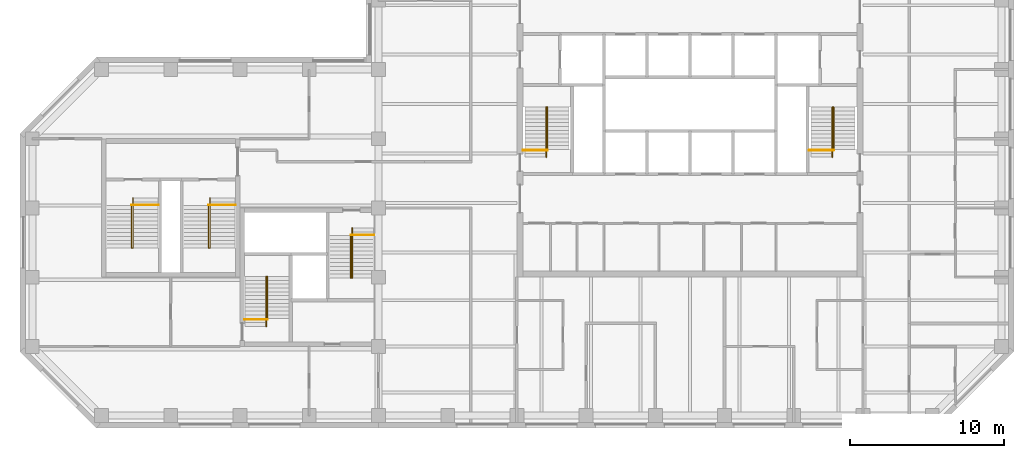
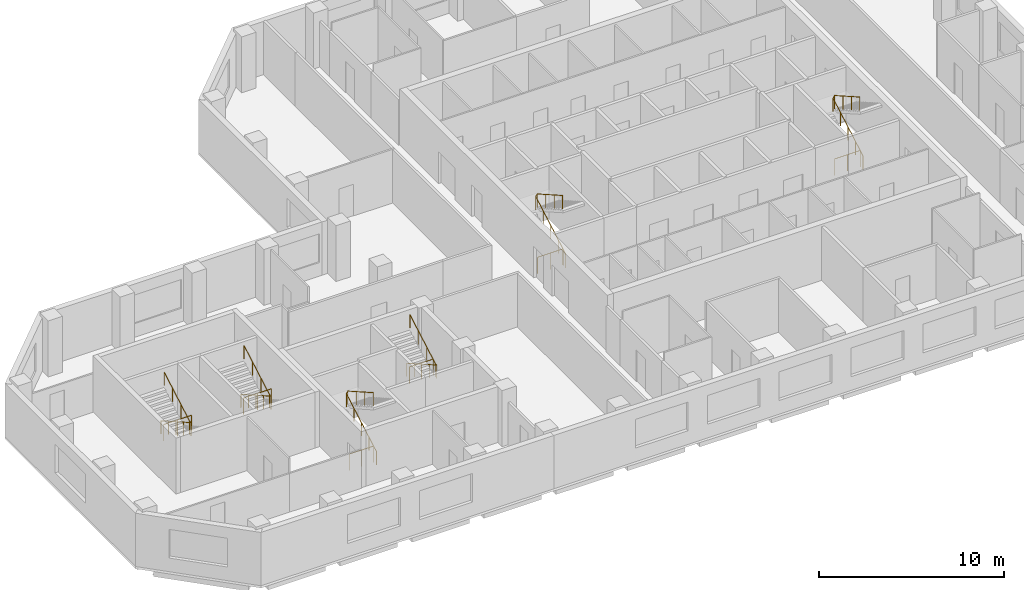
# One storey, part 9 of 9: 12 railings.
"""IFC4 building model written with IfcOpenShell, lengths in metres."""

import ifcopenshell
import ifcopenshell.guid

model = None  # the IFC model being written
_history = None  # IfcOwnerHistory: only IFC2X3 demands one
_inside = {}  # id of a spatial element -> (the spatial element, [elements in it])
_under = {}  # id of a project, library or spatial element -> (it, [spatial elements below it])
_declared = {}  # id of a project -> (the project, [libraries it declares])
_typed = {}  # id of a type object -> (the type object, [elements of that type])
_made_of = {}  # id of a material, layer set ... -> (it, [elements and type objects made of it])


def new_model(schema):
    """Start an empty IFC model of exactly this schema.

    Asked for "IFC4X3", IfcOpenShell would pick the latest addendum, in which some entities
    have other attributes; the version numbers below select the first issue.
    IFC2X3 requires an IfcOwnerHistory on every rooted entity: one is made here for all.
    """
    global model, _history
    if schema == "IFC4X3":
        model = ifcopenshell.file(schema_version=(4, 3, 0, 0))
    else:
        model = ifcopenshell.file(schema=schema)
    _inside.clear()
    _under.clear()
    _declared.clear()
    _typed.clear()
    _made_of.clear()
    _history = None
    if model.schema == "IFC2X3":
        org = make("IfcOrganization", Name="unknown")
        user = make(
            "IfcPersonAndOrganization",
            ThePerson=make("IfcPerson", FamilyName="unknown"),
            TheOrganization=org,
        )
        app = make(
            "IfcApplication",
            ApplicationDeveloper=org,
            Version="unknown",
            ApplicationFullName="unknown",
            ApplicationIdentifier="unknown",
        )
        _history = make(
            "IfcOwnerHistory",
            OwningUser=user,
            OwningApplication=app,
            ChangeAction="ADDED",
            CreationDate=0,
        )
    return model


def make(cls, **values):
    """One entity of the class cls with the attributes given. An attribute that is None is left unset."""
    return model.create_entity(
        cls, **{name: value for name, value in values.items() if value is not None}
    )


def rooted(cls, **values):
    """An entity with a GlobalId (a new one), such as an element, a storey or a relation."""
    return make(cls, GlobalId=ifcopenshell.guid.new(), OwnerHistory=_history, **values)


def si_unit(unit_type, name, prefix=None):
    """IfcSIUnit, for example si_unit("LENGTHUNIT", "METRE", prefix="MILLI")."""
    return make("IfcSIUnit", UnitType=unit_type, Prefix=prefix, Name=name)


def assignment(units):
    """IfcUnitAssignment: the units of a project."""
    return None if units is None else make("IfcUnitAssignment", Units=units)


def point(xyz):
    """IfcCartesianPoint."""
    return None if xyz is None else make("IfcCartesianPoint", Coordinates=xyz)


def direction(xyz):
    """IfcDirection."""
    return None if xyz is None else make("IfcDirection", DirectionRatios=xyz)


def frame(location, z_axis=None, x_axis=None):
    """IfcAxis2Placement3D, a coordinate frame: its origin and axes. An axis left out is left unset."""
    return make(
        "IfcAxis2Placement3D",
        Location=point(location),
        Axis=direction(z_axis),
        RefDirection=direction(x_axis),
    )


def frame_2d(location, x_axis=None):
    """IfcAxis2Placement2D, a coordinate frame in the plane: its origin and x axis."""
    return make(
        "IfcAxis2Placement2D", Location=point(location), RefDirection=direction(x_axis)
    )


def origin():
    """The frame at (0, 0, 0) with its axes left unset."""
    return frame((0.0, 0.0, 0.0))


def origin_2d():
    """The frame at (0, 0) in the plane with its x axis left unset."""
    return frame_2d((0.0, 0.0))


def place(relative_to, where):
    """IfcLocalPlacement: puts the frame where relative to a parent placement (None: the world)."""
    return make(
        "IfcLocalPlacement", PlacementRelTo=relative_to, RelativePlacement=where
    )


def context(
    kind, dimensions, precision=None, world=None, true_north=None, identifier=None
):
    """IfcGeometricRepresentationContext, for example the 3D "Model" context."""
    return make(
        "IfcGeometricRepresentationContext",
        ContextIdentifier=identifier,
        ContextType=kind,
        CoordinateSpaceDimension=dimensions,
        Precision=precision,
        WorldCoordinateSystem=world,
        TrueNorth=true_north,
    )


def subcontext(parent, identifier, kind, view, scale=None):
    """IfcGeometricRepresentationSubContext, for example "Body" below "Model"."""
    return make(
        "IfcGeometricRepresentationSubContext",
        ContextIdentifier=identifier,
        ContextType=kind,
        ParentContext=parent,
        TargetScale=scale,
        TargetView=view,
    )


def project(units=None, contexts=None):
    """IfcProject with its units and contexts."""
    return rooted(
        "IfcProject",
        Name="project",
        RepresentationContexts=contexts,
        UnitsInContext=assignment(units),
    )


def spatial(cls, under=None, at=None, **own):
    """A site, building, storey or space (cls), placed at a placement, below another one or the project."""
    s = rooted(cls, ObjectPlacement=at, **own)
    if under is not None:
        _under.setdefault(under.id(), (under, []))[1].append(s)
    return s


def profile(cls, at=None, kind="AREA", **sizes):
    """A parametric profile (cls). Its sizes go by their IFC names, for example OverallWidth=200.0."""
    return make(cls, ProfileType=kind, Position=at, **sizes)


def circle(**sizes):
    """IfcCircleProfileDef."""
    return profile("IfcCircleProfileDef", **sizes)


def extrude(swept, where, along, depth):
    """IfcExtrudedAreaSolid: the profile swept, set in the frame where, extruded along a direction by depth."""
    return make(
        "IfcExtrudedAreaSolid",
        SweptArea=swept,
        Position=where,
        ExtrudedDirection=direction(along),
        Depth=depth,
    )


def shape(context_of_items, identifier, shape_type, items):
    """IfcShapeRepresentation: the items that make up one representation, for example the "Body"."""
    return make(
        "IfcShapeRepresentation",
        ContextOfItems=context_of_items,
        RepresentationIdentifier=identifier,
        RepresentationType=shape_type,
        Items=items,
    )


def material(Name=None, Category=None):
    """IfcMaterial."""
    return make("IfcMaterial", Name=Name, Category=Category)


def made_of(thing, what):
    """Note that an element or type object is made of a material, layer set ...; save() writes the relation."""
    if what is not None:
        _made_of.setdefault(what.id(), (what, []))[1].append(thing)
    return thing


def type_object(cls, material=None, **own):
    """A type object (cls), such as IfcWallType, which elements share."""
    return made_of(rooted(cls, **own), material)


def element(
    cls,
    number,
    at=None,
    inside=None,
    cuts=None,
    type_object=None,
    material=None,
    context=None,
    identifier="Body",
    shape_type=None,
    held_by="IfcProductDefinitionShape",
    body=None,
    shapes=None,
    **own,
):
    """One element of the class cls, such as IfcWall. Its Tag is "e" and its number.

    at: its placement. inside: the storey or other place that contains it. cuts: it is an
    opening in that element (IfcRelVoidsElement). A single representation is given by context,
    identifier, shape_type and body (its items); several are given by shapes. held_by: the class
    of the entity that holds the representations. save() writes the other relations.
    """
    e = rooted(cls, Tag="e%d" % number, ObjectPlacement=at, **own)
    if body is not None:
        shapes = [shape(context, identifier, shape_type, body)]
    if shapes is not None:
        e.Representation = make(held_by, Representations=shapes)
    if inside is not None:
        _inside.setdefault(inside.id(), (inside, []))[1].append(e)
    if cuts is not None:
        rooted(
            "IfcRelVoidsElement", RelatingBuildingElement=cuts, RelatedOpeningElement=e
        )
    if type_object is not None:
        _typed.setdefault(type_object.id(), (type_object, []))[1].append(e)
    return made_of(e, material)


def aggregate(whole, parts):
    """IfcRelAggregates: a whole, such as a stair, and the parts it consists of."""
    return rooted("IfcRelAggregates", RelatingObject=whole, RelatedObjects=parts)


def save(model, path):
    """Write the relations noted so far, then the file.

    IfcRelAggregates (storeys below a building ...), IfcRelContainedInSpatialStructure (elements
    in a storey), IfcRelDefinesByType, IfcRelAssociatesMaterial and IfcRelDeclares: one each for
    every whole, place, type object, material and project.
    """
    for whole, parts in _under.values():
        aggregate(whole, parts)
    for where, things in _inside.values():
        rooted(
            "IfcRelContainedInSpatialStructure",
            RelatedElements=things,
            RelatingStructure=where,
        )
    for kind, things in _typed.values():
        rooted("IfcRelDefinesByType", RelatedObjects=things, RelatingType=kind)
    for what, things in _made_of.values():
        rooted("IfcRelAssociatesMaterial", RelatedObjects=things, RelatingMaterial=what)
    for by, libraries in _declared.values():
        rooted("IfcRelDeclares", RelatingContext=by, RelatedDefinitions=libraries)
    model.write(path)


model = new_model("IFC4")

# Units and contexts
model_context = context("Model", 3, precision=1e-05, world=origin(), true_north=direction((0.0, 1.0)))
body_context = subcontext(model_context, "Body", "Model", "MODEL_VIEW")
ifc_project = project(units=[si_unit("LENGTHUNIT", "METRE"), si_unit("AREAUNIT", "SQUARE_METRE"), si_unit("VOLUMEUNIT", "CUBIC_METRE"), si_unit("PLANEANGLEUNIT", "RADIAN"), si_unit("MASSUNIT", "GRAM", prefix="KILO")], contexts=[model_context])

# Site, building, storey
site_placement = place(None, origin())
site = spatial("IfcSite", under=ifc_project, at=site_placement, CompositionType="ELEMENT")
building_placement = place(site_placement, origin())
building = spatial("IfcBuilding", under=site, at=building_placement, Name="Quoin Convention Tower", CompositionType="ELEMENT")
storey_placement = place(building_placement, frame((0.0, 0.0, 166.199951171875)))
storey = spatial("IfcBuildingStorey", under=building, at=storey_placement, Name="L43", CompositionType="ELEMENT", Elevation=166.199951171875)

# Railings
ifc_material = material(Name="Stainless steel", Category="steel")
railing_type_1 = type_object("IfcRailingType", Name="Stair handrail 900", PredefinedType="HANDRAIL", material=ifc_material)
railing_1_placement = place(storey_placement, frame((46.905029296875, 57.300048828125, 0.142333984375)))
element("IfcRailing", 1, at=railing_1_placement, inside=storey, type_object=railing_type_1, Name="SD1 handrail 1", PredefinedType="HANDRAIL", context=body_context, shape_type="SweptSolid", body=[
    extrude(circle(Radius=0.02392578125, at=origin_2d()), frame((0.0, 0.0, 0.8759765625), z_axis=(0.0, 0.869053504361, 0.494718108177), x_axis=(-1.0, 0.0, 0.0)), (0.0, 0.0, 1.0), 3.73974609375),
    extrude(circle(Radius=0.02392578125, at=origin_2d()), frame((0.0, 3.25, 2.72607421875), z_axis=(0.53481069233, 0.0, 0.844971906852), x_axis=(0.0, 1.0, 0.0)), (0.0, 0.0, 1.0), 0.16845703125),
    extrude(circle(Radius=0.02392578125, at=origin_2d()), frame((0.090087890625, 3.25, 2.8681640625), z_axis=(0.0, -0.869091777644, 0.494650868828), x_axis=(1.0, 0.0, 0.0)), (0.0, 0.0, 1.0), 3.164306640625),
    extrude(circle(Radius=0.02099609375, at=origin_2d()), origin(), (0.0, 0.0, 1.0), 0.851806640625),
    extrude(circle(Radius=0.02099609375, at=origin_2d()), frame((0.0, 0.8125, 0.46240234375)), (0.0, 0.0, 1.0), 0.851806640625),
    extrude(circle(Radius=0.02099609375, at=origin_2d()), frame((0.0, 1.625, 0.925048828125)), (0.0, 0.0, 1.0), 0.851806640625),
    extrude(circle(Radius=0.02099609375, at=origin_2d()), frame((0.0, 2.4375, 1.3876953125)), (0.0, 0.0, 1.0), 0.851806640625),
    extrude(circle(Radius=0.02099609375, at=origin_2d()), frame((0.0, 3.25, 1.85009765625)), (0.0, 0.0, 1.0), 0.851806640625),
    extrude(circle(Radius=0.02099609375, at=origin_2d()), frame((0.090087890625, 3.25, 1.992431640625)), (0.0, 0.0, 1.0), 0.851806640625),
    extrude(circle(Radius=0.02099609375, at=origin_2d()), frame((0.090087890625, 2.333251953125, 2.51416015625)), (0.0, 0.0, 1.0), 0.851806640625),
    extrude(circle(Radius=0.02099609375, at=origin_2d()), frame((0.090087890625, 1.416748046875, 3.035888671875)), (0.0, 0.0, 1.0), 0.851806640625),
    extrude(circle(Radius=0.02099609375, at=origin_2d()), frame((0.090087890625, 0.5, 3.5576171875)), (0.0, 0.0, 1.0), 0.851806640625),
])
railing_2_placement = place(storey_placement, frame((65.5048828125, 57.300048828125, 0.142333984375)))
element("IfcRailing", 2, at=railing_2_placement, inside=storey, type_object=railing_type_1, Name="SD2 handrail 1", PredefinedType="HANDRAIL", context=body_context, shape_type="SweptSolid", body=[
    extrude(circle(Radius=0.02392578125, at=origin_2d()), frame((0.0, 0.0, 0.8759765625), z_axis=(0.0, 0.869053504361, 0.494718108177), x_axis=(-1.0, 0.0, 0.0)), (0.0, 0.0, 1.0), 3.73974609375),
    extrude(circle(Radius=0.02392578125, at=origin_2d()), frame((0.0, 3.25, 2.72607421875), z_axis=(0.53481069233, 0.0, 0.844971906852), x_axis=(0.0, 1.0, 0.0)), (0.0, 0.0, 1.0), 0.16845703125),
    extrude(circle(Radius=0.02392578125, at=origin_2d()), frame((0.090087890625, 3.25, 2.8681640625), z_axis=(0.0, -0.869091777644, 0.494650868828), x_axis=(1.0, 0.0, 0.0)), (0.0, 0.0, 1.0), 3.164306640625),
    extrude(circle(Radius=0.02099609375, at=origin_2d()), origin(), (0.0, 0.0, 1.0), 0.851806640625),
    extrude(circle(Radius=0.02099609375, at=origin_2d()), frame((0.0, 0.8125, 0.46240234375)), (0.0, 0.0, 1.0), 0.851806640625),
    extrude(circle(Radius=0.02099609375, at=origin_2d()), frame((0.0, 1.625, 0.925048828125)), (0.0, 0.0, 1.0), 0.851806640625),
    extrude(circle(Radius=0.02099609375, at=origin_2d()), frame((0.0, 2.4375, 1.3876953125)), (0.0, 0.0, 1.0), 0.851806640625),
    extrude(circle(Radius=0.02099609375, at=origin_2d()), frame((0.0, 3.25, 1.85009765625)), (0.0, 0.0, 1.0), 0.851806640625),
    extrude(circle(Radius=0.02099609375, at=origin_2d()), frame((0.090087890625, 3.25, 1.992431640625)), (0.0, 0.0, 1.0), 0.851806640625),
    extrude(circle(Radius=0.02099609375, at=origin_2d()), frame((0.090087890625, 2.333251953125, 2.51416015625)), (0.0, 0.0, 1.0), 0.851806640625),
    extrude(circle(Radius=0.02099609375, at=origin_2d()), frame((0.090087890625, 1.416748046875, 3.035888671875)), (0.0, 0.0, 1.0), 0.851806640625),
    extrude(circle(Radius=0.02099609375, at=origin_2d()), frame((0.090087890625, 0.5, 3.5576171875)), (0.0, 0.0, 1.0), 0.851806640625),
])
railing_3_placement = place(storey_placement, frame((28.705078125, 46.300048828125, 0.142333984375)))
element("IfcRailing", 3, at=railing_3_placement, inside=storey, type_object=railing_type_1, Name="SD3 handrail 1", PredefinedType="HANDRAIL", context=body_context, shape_type="SweptSolid", body=[
    extrude(circle(Radius=0.02392578125, at=origin_2d()), frame((0.0, 0.0, 0.8759765625), z_axis=(0.0, 0.869053504361, 0.494718108177), x_axis=(-1.0, 0.0, 0.0)), (0.0, 0.0, 1.0), 3.73974609375),
    extrude(circle(Radius=0.02392578125, at=origin_2d()), frame((0.0, 3.25, 2.72607421875), z_axis=(0.533774684331, 0.0, 0.845626741753), x_axis=(0.0, 1.0, 0.0)), (0.0, 0.0, 1.0), 0.168212890625),
    extrude(circle(Radius=0.02392578125, at=origin_2d()), frame((0.08984375, 3.25, 2.8681640625), z_axis=(0.0, -0.869091777644, 0.494650868828), x_axis=(1.0, 0.0, 0.0)), (0.0, 0.0, 1.0), 3.164306640625),
    extrude(circle(Radius=0.02099609375, at=origin_2d()), origin(), (0.0, 0.0, 1.0), 0.851806640625),
    extrude(circle(Radius=0.02099609375, at=origin_2d()), frame((0.0, 0.8125, 0.46240234375)), (0.0, 0.0, 1.0), 0.851806640625),
    extrude(circle(Radius=0.02099609375, at=origin_2d()), frame((0.0, 1.625, 0.925048828125)), (0.0, 0.0, 1.0), 0.851806640625),
    extrude(circle(Radius=0.02099609375, at=origin_2d()), frame((0.0, 2.4375, 1.3876953125)), (0.0, 0.0, 1.0), 0.851806640625),
    extrude(circle(Radius=0.02099609375, at=origin_2d()), frame((0.0, 3.25, 1.85009765625)), (0.0, 0.0, 1.0), 0.851806640625),
    extrude(circle(Radius=0.02099609375, at=origin_2d()), frame((0.08984375, 3.25, 1.992431640625)), (0.0, 0.0, 1.0), 0.851806640625),
    extrude(circle(Radius=0.02099609375, at=origin_2d()), frame((0.08984375, 2.333251953125, 2.51416015625)), (0.0, 0.0, 1.0), 0.851806640625),
    extrude(circle(Radius=0.02099609375, at=origin_2d()), frame((0.08984375, 1.416748046875, 3.035888671875)), (0.0, 0.0, 1.0), 0.851806640625),
    extrude(circle(Radius=0.02099609375, at=origin_2d()), frame((0.08984375, 0.5, 3.5576171875)), (0.0, 0.0, 1.0), 0.851806640625),
])
railing_4_placement = place(storey_placement, frame((34.294921875, 52.699951171875, 0.142333984375)))
element("IfcRailing", 4, at=railing_4_placement, inside=storey, type_object=railing_type_1, Name="SD4 handrail 1", PredefinedType="HANDRAIL", context=body_context, shape_type="SweptSolid", body=[
    extrude(circle(Radius=0.02392578125, at=origin_2d()), frame((0.0, 0.0, 0.8759765625), z_axis=(0.0, -0.869053504361, 0.494718108177), x_axis=(1.0, 0.0, 0.0)), (0.0, 0.0, 1.0), 3.73974609375),
    extrude(circle(Radius=0.02392578125, at=origin_2d()), frame((0.0, -3.25, 2.72607421875), z_axis=(-0.533774684331, 0.0, 0.845626741753), x_axis=(0.0, -1.0, 0.0)), (0.0, 0.0, 1.0), 0.168212890625),
    extrude(circle(Radius=0.02392578125, at=origin_2d()), frame((-0.08984375, -3.25, 2.8681640625), z_axis=(0.0, 0.869091777644, 0.494650868828), x_axis=(-1.0, 0.0, 0.0)), (0.0, 0.0, 1.0), 3.164306640625),
    extrude(circle(Radius=0.02099609375, at=origin_2d()), origin(), (0.0, 0.0, 1.0), 0.851806640625),
    extrude(circle(Radius=0.02099609375, at=origin_2d()), frame((0.0, -0.8125, 0.46240234375)), (0.0, 0.0, 1.0), 0.851806640625),
    extrude(circle(Radius=0.02099609375, at=origin_2d()), frame((0.0, -1.625, 0.925048828125)), (0.0, 0.0, 1.0), 0.851806640625),
    extrude(circle(Radius=0.02099609375, at=origin_2d()), frame((0.0, -2.4375, 1.3876953125)), (0.0, 0.0, 1.0), 0.851806640625),
    extrude(circle(Radius=0.02099609375, at=origin_2d()), frame((0.0, -3.25, 1.85009765625)), (0.0, 0.0, 1.0), 0.851806640625),
    extrude(circle(Radius=0.02099609375, at=origin_2d()), frame((-0.08984375, -3.25, 1.992431640625)), (0.0, 0.0, 1.0), 0.851806640625),
    extrude(circle(Radius=0.02099609375, at=origin_2d()), frame((-0.08984375, -2.333251953125, 2.51416015625)), (0.0, 0.0, 1.0), 0.851806640625),
    extrude(circle(Radius=0.02099609375, at=origin_2d()), frame((-0.08984375, -1.416748046875, 3.035888671875)), (0.0, 0.0, 1.0), 0.851806640625),
    extrude(circle(Radius=0.02099609375, at=origin_2d()), frame((-0.08984375, -0.5, 3.5576171875)), (0.0, 0.0, 1.0), 0.851806640625),
])
railing_5_placement = place(storey_placement, frame((20.044921875, 54.64990234375, 0.142333984375)))
element("IfcRailing", 5, at=railing_5_placement, inside=storey, type_object=railing_type_1, Name="SD11 handrail 1", PredefinedType="HANDRAIL", context=body_context, shape_type="SweptSolid", body=[
    extrude(circle(Radius=0.02392578125, at=origin_2d()), frame((0.0, 0.0, 0.8759765625), z_axis=(0.0, -0.869053504361, 0.494718108177), x_axis=(1.0, 0.0, 0.0)), (0.0, 0.0, 1.0), 3.73974609375),
    extrude(circle(Radius=0.02392578125, at=origin_2d()), frame((0.0, -3.25, 2.72607421875), z_axis=(-0.533774684331, 0.0, 0.845626741753), x_axis=(0.0, -1.0, 0.0)), (0.0, 0.0, 1.0), 0.168212890625),
    extrude(circle(Radius=0.02392578125, at=origin_2d()), frame((-0.08984375, -3.25, 2.8681640625), z_axis=(0.0, 0.869091777644, 0.494650868828), x_axis=(-1.0, 0.0, 0.0)), (0.0, 0.0, 1.0), 3.164306640625),
    extrude(circle(Radius=0.02099609375, at=origin_2d()), origin(), (0.0, 0.0, 1.0), 0.851806640625),
    extrude(circle(Radius=0.02099609375, at=origin_2d()), frame((0.0, -0.8125, 0.46240234375)), (0.0, 0.0, 1.0), 0.851806640625),
    extrude(circle(Radius=0.02099609375, at=origin_2d()), frame((0.0, -1.625, 0.925048828125)), (0.0, 0.0, 1.0), 0.851806640625),
    extrude(circle(Radius=0.02099609375, at=origin_2d()), frame((0.0, -2.4375, 1.3876953125)), (0.0, 0.0, 1.0), 0.851806640625),
    extrude(circle(Radius=0.02099609375, at=origin_2d()), frame((0.0, -3.25, 1.85009765625)), (0.0, 0.0, 1.0), 0.851806640625),
    extrude(circle(Radius=0.02099609375, at=origin_2d()), frame((-0.08984375, -3.25, 1.992431640625)), (0.0, 0.0, 1.0), 0.851806640625),
    extrude(circle(Radius=0.02099609375, at=origin_2d()), frame((-0.08984375, -2.333251953125, 2.51416015625)), (0.0, 0.0, 1.0), 0.851806640625),
    extrude(circle(Radius=0.02099609375, at=origin_2d()), frame((-0.08984375, -1.416748046875, 3.035888671875)), (0.0, 0.0, 1.0), 0.851806640625),
    extrude(circle(Radius=0.02099609375, at=origin_2d()), frame((-0.08984375, -0.5, 3.5576171875)), (0.0, 0.0, 1.0), 0.851806640625),
])
railing_6_placement = place(storey_placement, frame((25.044921875, 54.64990234375, 0.142333984375)))
element("IfcRailing", 6, at=railing_6_placement, inside=storey, type_object=railing_type_1, Name="SD12 handrail 1", PredefinedType="HANDRAIL", context=body_context, shape_type="SweptSolid", body=[
    extrude(circle(Radius=0.02392578125, at=origin_2d()), frame((0.0, 0.0, 0.8759765625), z_axis=(0.0, -0.869053504361, 0.494718108177), x_axis=(1.0, 0.0, 0.0)), (0.0, 0.0, 1.0), 3.73974609375),
    extrude(circle(Radius=0.02392578125, at=origin_2d()), frame((0.0, -3.25, 2.72607421875), z_axis=(-0.533774684331, 0.0, 0.845626741753), x_axis=(0.0, -1.0, 0.0)), (0.0, 0.0, 1.0), 0.168212890625),
    extrude(circle(Radius=0.02392578125, at=origin_2d()), frame((-0.08984375, -3.25, 2.8681640625), z_axis=(0.0, 0.869091777644, 0.494650868828), x_axis=(-1.0, 0.0, 0.0)), (0.0, 0.0, 1.0), 3.164306640625),
    extrude(circle(Radius=0.02099609375, at=origin_2d()), origin(), (0.0, 0.0, 1.0), 0.851806640625),
    extrude(circle(Radius=0.02099609375, at=origin_2d()), frame((0.0, -0.8125, 0.46240234375)), (0.0, 0.0, 1.0), 0.851806640625),
    extrude(circle(Radius=0.02099609375, at=origin_2d()), frame((0.0, -1.625, 0.925048828125)), (0.0, 0.0, 1.0), 0.851806640625),
    extrude(circle(Radius=0.02099609375, at=origin_2d()), frame((0.0, -2.4375, 1.3876953125)), (0.0, 0.0, 1.0), 0.851806640625),
    extrude(circle(Radius=0.02099609375, at=origin_2d()), frame((0.0, -3.25, 1.85009765625)), (0.0, 0.0, 1.0), 0.851806640625),
    extrude(circle(Radius=0.02099609375, at=origin_2d()), frame((-0.08984375, -3.25, 1.992431640625)), (0.0, 0.0, 1.0), 0.851806640625),
    extrude(circle(Radius=0.02099609375, at=origin_2d()), frame((-0.08984375, -2.333251953125, 2.51416015625)), (0.0, 0.0, 1.0), 0.851806640625),
    extrude(circle(Radius=0.02099609375, at=origin_2d()), frame((-0.08984375, -1.416748046875, 3.035888671875)), (0.0, 0.0, 1.0), 0.851806640625),
    extrude(circle(Radius=0.02099609375, at=origin_2d()), frame((-0.08984375, -0.5, 3.5576171875)), (0.0, 0.0, 1.0), 0.851806640625),
])
railing_type_2 = type_object("IfcRailingType", Name="Stair top guard 1100", PredefinedType="GUARDRAIL", material=ifc_material)
railing_7_placement = place(storey_placement, frame((45.39990234375, 57.75, 0.0)))
element("IfcRailing", 7, at=railing_7_placement, inside=storey, type_object=railing_type_2, Name="SD1 top guard", PredefinedType="GUARDRAIL", context=body_context, shape_type="SweptSolid", body=[
    extrude(circle(Radius=0.02392578125, at=origin_2d()), frame((0.0, 0.0, 1.076171875), z_axis=(1.0, 0.0, 0.0), x_axis=(0.0, 1.0, 0.0)), (0.0, 0.0, 1.0), 1.59521484375),
    extrude(circle(Radius=0.02099609375, at=origin_2d()), origin(), (0.0, 0.0, 1.0), 1.052001953125),
    extrude(circle(Radius=0.02099609375, at=origin_2d()), frame((0.797607421875, 0.0, 0.0)), (0.0, 0.0, 1.0), 1.052001953125),
    extrude(circle(Radius=0.02099609375, at=origin_2d()), frame((1.59521484375, 0.0, 0.0)), (0.0, 0.0, 1.0), 1.052001953125),
])
railing_8_placement = place(storey_placement, frame((64.0, 57.75, 0.0)))
element("IfcRailing", 8, at=railing_8_placement, inside=storey, type_object=railing_type_2, Name="SD2 top guard", PredefinedType="GUARDRAIL", context=body_context, shape_type="SweptSolid", body=[
    extrude(circle(Radius=0.02392578125, at=origin_2d()), frame((0.0, 0.0, 1.076171875), z_axis=(1.0, 0.0, 0.0), x_axis=(0.0, 1.0, 0.0)), (0.0, 0.0, 1.0), 1.594970703125),
    extrude(circle(Radius=0.02099609375, at=origin_2d()), origin(), (0.0, 0.0, 1.0), 1.052001953125),
    extrude(circle(Radius=0.02099609375, at=origin_2d()), frame((0.79736328125, 0.0, 0.0)), (0.0, 0.0, 1.0), 1.052001953125),
    extrude(circle(Radius=0.02099609375, at=origin_2d()), frame((1.594970703125, 0.0, 0.0)), (0.0, 0.0, 1.0), 1.052001953125),
])
railing_9_placement = place(storey_placement, frame((27.300048828125, 46.75, 0.0)))
element("IfcRailing", 9, at=railing_9_placement, inside=storey, type_object=railing_type_2, Name="SD3 top guard", PredefinedType="GUARDRAIL", context=body_context, shape_type="SweptSolid", body=[
    extrude(circle(Radius=0.02392578125, at=origin_2d()), frame((0.0, 0.0, 1.076171875), z_axis=(1.0, 0.0, 0.0), x_axis=(0.0, 1.0, 0.0)), (0.0, 0.0, 1.0), 1.494873046875),
    extrude(circle(Radius=0.02099609375, at=origin_2d()), origin(), (0.0, 0.0, 1.0), 1.052001953125),
    extrude(circle(Radius=0.02099609375, at=origin_2d()), frame((0.74755859375, 0.0, 0.0)), (0.0, 0.0, 1.0), 1.052001953125),
    extrude(circle(Radius=0.02099609375, at=origin_2d()), frame((1.494873046875, 0.0, 0.0)), (0.0, 0.0, 1.0), 1.052001953125),
])
railing_10_placement = place(storey_placement, frame((35.699951171875, 52.25, 0.0)))
element("IfcRailing", 10, at=railing_10_placement, inside=storey, type_object=railing_type_2, Name="SD4 top guard", PredefinedType="GUARDRAIL", context=body_context, shape_type="SweptSolid", body=[
    extrude(circle(Radius=0.02392578125, at=origin_2d()), frame((0.0, 0.0, 1.076171875), z_axis=(-1.0, 0.0, 0.0), x_axis=(0.0, -1.0, 0.0)), (0.0, 0.0, 1.0), 1.494873046875),
    extrude(circle(Radius=0.02099609375, at=origin_2d()), origin(), (0.0, 0.0, 1.0), 1.052001953125),
    extrude(circle(Radius=0.02099609375, at=origin_2d()), frame((-0.74755859375, 0.0, 0.0)), (0.0, 0.0, 1.0), 1.052001953125),
    extrude(circle(Radius=0.02099609375, at=origin_2d()), frame((-1.494873046875, 0.0, 0.0)), (0.0, 0.0, 1.0), 1.052001953125),
])
for number, where, name in (
    (11, (21.699951171875, 54.199951171875, 0.0), "SD11 top guard"),
    (12, (26.699951171875, 54.199951171875, 0.0), "SD12 top guard"),
):
    element("IfcRailing", number, at=place(storey_placement, frame(where)), inside=storey, type_object=railing_type_2, Name=name, PredefinedType="GUARDRAIL", context=body_context, shape_type="SweptSolid", body=[
        extrude(circle(Radius=0.02392578125, at=origin_2d()), frame((0.0, 0.0, 1.076171875), z_axis=(-1.0, 0.0, 0.0), x_axis=(0.0, -1.0, 0.0)), (0.0, 0.0, 1.0), 1.744873046875),
        extrude(circle(Radius=0.02099609375, at=origin_2d()), origin(), (0.0, 0.0, 1.0), 1.052001953125),
        extrude(circle(Radius=0.02099609375, at=origin_2d()), frame((-0.87255859375, 0.0, 0.0)), (0.0, 0.0, 1.0), 1.052001953125),
        extrude(circle(Radius=0.02099609375, at=origin_2d()), frame((-1.744873046875, 0.0, 0.0)), (0.0, 0.0, 1.0), 1.052001953125),
    ])

save(model, "model.ifc")
